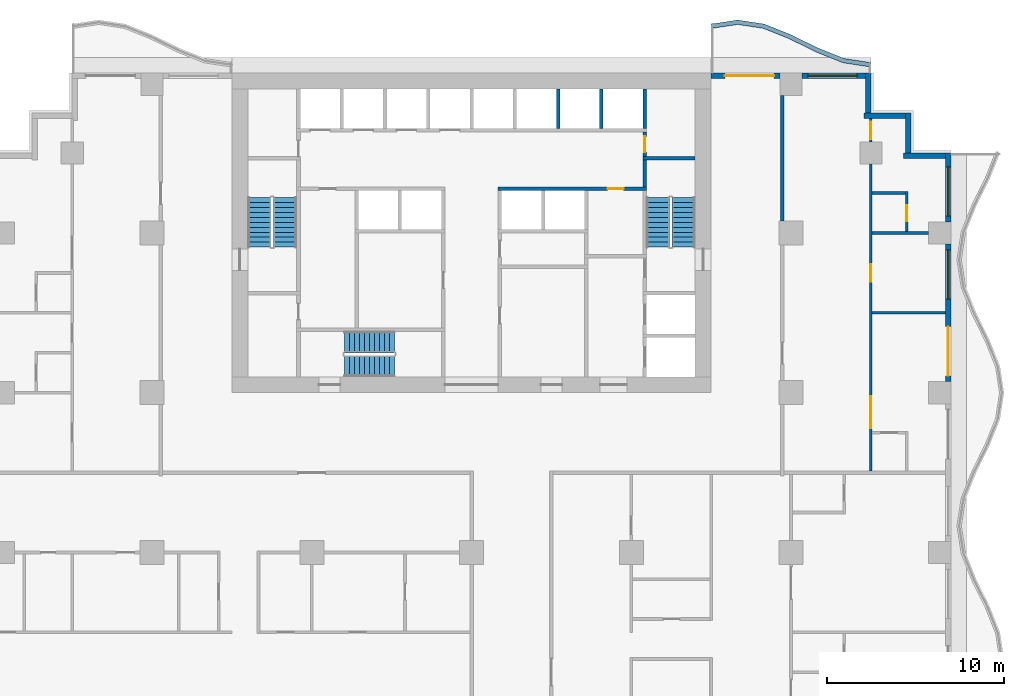
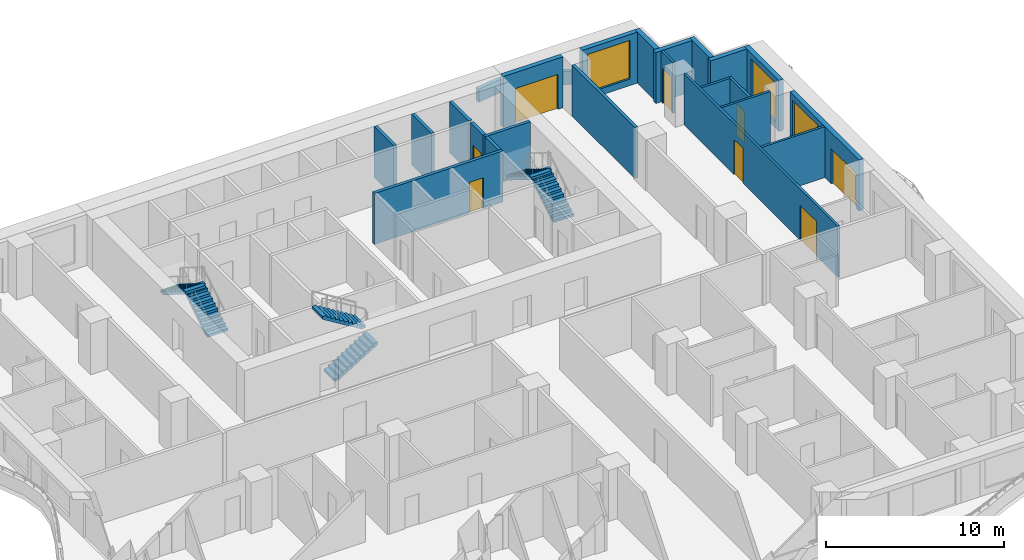
# One storey, part 6 of 13: 23 walls, 8 doors, 6 stair flights, 3 windows, 11 openings, 3 elements without a shape of their own.
"""IFC4 building model written with IfcOpenShell, lengths in metres."""

from ifc_helpers import new_model, si_unit, direction, frame, frame_2d, origin, place, context, subcontext, project, spatial, polyline, rectangle, outline, extrude, material, layer, layer_set, type_object, element, fill, aggregate, save


model = new_model("IFC4")

# Units and contexts
model_context = context("Model", 3, precision=1e-05, world=origin(), true_north=direction((0.0, 1.0)))
body_context = subcontext(model_context, "Body", "Model", "MODEL_VIEW")
ifc_project = project(units=[si_unit("LENGTHUNIT", "METRE"), si_unit("AREAUNIT", "SQUARE_METRE"), si_unit("VOLUMEUNIT", "CUBIC_METRE"), si_unit("PLANEANGLEUNIT", "RADIAN"), si_unit("MASSUNIT", "GRAM", prefix="KILO")], contexts=[model_context])

# Site, building, storey
site_placement = place(None, origin())
site = spatial("IfcSite", under=ifc_project, at=site_placement, CompositionType="ELEMENT")
building_placement = place(site_placement, origin())
building = spatial("IfcBuilding", under=site, at=building_placement, Name="Orbiselva Terraces", CompositionType="ELEMENT")
storey_placement = place(building_placement, frame((0.0, 0.0, 99.8)))
storey = spatial("IfcBuildingStorey", under=building, at=storey_placement, Name="L25", CompositionType="ELEMENT", Elevation=99.8)

# Wall, opening, door
ifc_material_1 = material(Name="Masonry blockwork", Category="masonry")
ifc_layer_1 = layer(ifc_material_1, 0.2)
ifc_layer_set_1 = layer_set([ifc_layer_1], Name="Masonry blockwork")
wall_type_1 = type_object("IfcWallType", Name="CORE-WALL-PARTITION-200", PredefinedType="PARTITIONING", material=ifc_layer_set_1)
wall_1_placement = place(storey_placement, frame((9.75, 19.2, 0.0), z_axis=(0.0, 0.0, 1.0), x_axis=(0.0, -1.0, 0.0)))
wall_1 = element("IfcWall", 1, at=wall_1_placement, inside=storey, type_object=wall_type_1, Name="L25 core wall 46", PredefinedType="PARTITIONING", context=body_context, shape_type="SweptSolid", body=[
    extrude(rectangle(XDim=1.4, YDim=0.2, at=frame_2d((0.7, 0.0))), origin(), (0.0, 0.0, 1.0), 3.5),
])
opening_1_placement = place(wall_1_placement, frame((0.25, 0.0, 0.0)))
opening_1 = element("IfcOpeningElement", 2, at=opening_1_placement, cuts=wall_1, Name="Opening DR900", PredefinedType="OPENING", context=body_context, shape_type="SweptSolid", body=[
    extrude(rectangle(XDim=0.9, YDim=2.1, at=frame_2d((0.45, 1.05))), frame((0.0, 0.11, 0.0), z_axis=(0.0, -1.0, 0.0), x_axis=(1.0, 0.0, 0.0)), (0.0, 0.0, 1.0), 0.22),
])
ifc_material_2 = material(Name="Steel fire door", Category="steel")
door_type_1 = type_object("IfcDoorType", Name="ROOM DOOR 900", OperationType="NOTDEFINED", PredefinedType="DOOR", material=ifc_material_2)
door_1_placement = place(opening_1_placement, origin())
door_1 = element("IfcDoor", 3, at=door_1_placement, inside=storey, type_object=door_type_1, Name="L25 ELECTRICAL RISER ROOM door", OperationType="SINGLE_SWING_RIGHT", OverallHeight=2.1, OverallWidth=0.9, PredefinedType="DOOR", context=body_context, shape_type="SweptSolid", body=[
    extrude(rectangle(XDim=0.9, YDim=2.1, at=frame_2d((0.45, 1.05))), frame((0.0, 0.025, 0.0), z_axis=(0.0, -1.0, 0.0), x_axis=(1.0, 0.0, 0.0)), (0.0, 0.0, 1.0), 0.05),
])
fill(opening_1, door_1)

# Walls
ifc_material_3 = material(Name="Concrete C40/50", Category="concrete")
ifc_layer_2 = layer(ifc_material_3, 0.2)
ifc_layer_set_2 = layer_set([ifc_layer_2], Name="Concrete C40/50")
wall_type_2 = type_object("IfcWallType", Name="CORE-WALL-SHAFT-200", PredefinedType="PARTITIONING", material=ifc_layer_set_2)
for number, where, z_axis, x_axis, name in (
    (4, (4.875, 19.4, 0.0), (0.0, 0.0, 1.0), (0.0, 1.0, 0.0), "L25 core wall 31"),
    (5, (7.3125, 19.4, 0.0), (0.0, 0.0, 1.0), (0.0, 1.0, 0.0), "L25 core wall 37"),
    (6, (9.75, 19.4, 0.0), (0.0, 0.0, 1.0), (0.0, 1.0, 0.0), "L25 core wall 47"),
):
    element("IfcWall", number, at=place(storey_placement, frame(where, z_axis=z_axis, x_axis=x_axis)), inside=storey, type_object=wall_type_2, Name=name, PredefinedType="PARTITIONING", context=body_context, shape_type="SweptSolid", body=[
        extrude(rectangle(XDim=2.2, YDim=0.2, at=frame_2d((1.1, 0.0))), origin(), (0.0, 0.0, 1.0), 3.5),
    ])

# Wall, opening, door
ifc_material_4 = material(Name="Concrete C60/75", Category="concrete")
ifc_layer_3 = layer(ifc_material_4, 0.2)
ifc_layer_set_3 = layer_set([ifc_layer_3], Name="Concrete C60/75")
wall_type_3 = type_object("IfcWallType", Name="CORE-WALL-SHEAR-200", PredefinedType="SHEAR", material=ifc_layer_set_3)
wall_2_placement = place(storey_placement, frame((9.85, 16.0, 0.0), z_axis=(0.0, 0.0, 1.0), x_axis=(-1.0, 0.0, 0.0)))
wall_2 = element("IfcWall", 7, at=wall_2_placement, inside=storey, type_object=wall_type_3, Name="L25 core wall 28", PredefinedType="SHEAR", context=body_context, shape_type="SweptSolid", body=[
    extrude(rectangle(XDim=8.35, YDim=0.2, at=frame_2d((4.175, 0.0))), origin(), (0.0, 0.0, 1.0), 3.5),
])
opening_2_placement = place(wall_2_placement, frame((1.2875, 0.0, 0.0)))
opening_2 = element("IfcOpeningElement", 8, at=opening_2_placement, cuts=wall_2, Name="Opening DR900", PredefinedType="OPENING", context=body_context, shape_type="SweptSolid", body=[
    extrude(rectangle(XDim=0.9, YDim=2.1, at=frame_2d((0.45, 1.05))), frame((0.0, 0.11, 0.0), z_axis=(0.0, -1.0, 0.0), x_axis=(1.0, 0.0, 0.0)), (0.0, 0.0, 1.0), 0.22),
])
door_2_placement = place(opening_2_placement, origin())
door_2 = element("IfcDoor", 9, at=door_2_placement, inside=storey, type_object=door_type_1, Name="L25 PIPE RISER ROOM door", OperationType="SINGLE_SWING_LEFT", OverallHeight=2.1, OverallWidth=0.9, PredefinedType="DOOR", context=body_context, shape_type="SweptSolid", body=[
    extrude(rectangle(XDim=0.9, YDim=2.1, at=frame_2d((0.45, 1.05))), frame((0.0, 0.025, 0.0), z_axis=(0.0, -1.0, 0.0), x_axis=(1.0, 0.0, 0.0)), (0.0, 0.0, 1.0), 0.05),
])
fill(opening_2, door_2)

# Walls
wall_3_placement = place(storey_placement, frame((9.75, 16.1, 0.0), z_axis=(0.0, 0.0, 1.0), x_axis=(0.0, 1.0, 0.0)))
element("IfcWall", 10, at=wall_3_placement, inside=storey, type_object=wall_type_3, Name="L25 core wall 44", PredefinedType="SHEAR", context=body_context, shape_type="SweptSolid", body=[
    extrude(rectangle(XDim=1.5, YDim=0.2, at=frame_2d((0.75, 0.0))), origin(), (0.0, 0.0, 1.0), 3.5),
])
wall_4_placement = place(storey_placement, frame((9.65, 17.7, 0.0), z_axis=(0.0, 0.0, 1.0), x_axis=(1.0, 0.0, 0.0)))
element("IfcWall", 11, at=wall_4_placement, inside=storey, type_object=wall_type_3, Name="L25 core wall 45", PredefinedType="SHEAR", context=body_context, shape_type="SweptSolid", body=[
    extrude(rectangle(XDim=2.95, YDim=0.2, at=frame_2d((1.475, 0.0))), origin(), (0.0, 0.0, 1.0), 3.5),
])
ifc_layer_4 = layer(ifc_material_3, 0.25)
ifc_layer_set_4 = layer_set([ifc_layer_4], Name="Concrete C40/50")
wall_type_4 = type_object("IfcWallType", Name="ENV-PLANTER-250x900", PredefinedType="USERDEFINED", material=ifc_layer_set_4)
wall_5_placement = place(storey_placement, origin())
element("IfcWall", 12, at=wall_5_placement, inside=storey, type_object=wall_type_4, Name="Balcony planter L25 NE", ObjectType="PLANTER", PredefinedType="USERDEFINED", context=body_context, shape_type="SweptSolid", body=[
    extrude(outline(polyline([(22.5, 23.1), (21.0, 23.32918), (19.5, 23.92918), (18.0, 24.67082), (16.5, 25.27082), (15.0, 25.5), (13.5, 25.27082), (13.537758, 25.023688), (15.0, 25.247099), (16.433834, 25.028028), (17.898017, 24.442355), (19.398017, 23.700715), (20.933834, 23.086388), (22.462242, 22.852868), (22.5, 23.1)])), origin(), (0.0, 0.0, 1.0), 0.9),
])

# Wall, openings, door, window
ifc_material_5 = material(Name="Terracotta cladding on masonry backing", Category="masonry")
ifc_layer_5 = layer(ifc_material_5, 0.3)
ifc_layer_set_5 = layer_set([ifc_layer_5], Name="Terracotta cladding on masonry backing")
wall_type_5 = type_object("IfcWallType", Name="ENV-WALL-TERRACOTTA-300", PredefinedType="SOLIDWALL", material=ifc_layer_set_5)
wall_6_placement = place(storey_placement, frame((26.85, 12.875, 0.0), z_axis=(0.0, 0.0, 1.0), x_axis=(0.0, -1.0, 0.0)))
wall_6 = element("IfcWall", 13, at=wall_6_placement, inside=storey, type_object=wall_type_5, Name="Facade wall L25 E", PredefinedType="SOLIDWALL", context=body_context, shape_type="SweptSolid", body=[
    extrude(rectangle(XDim=7.75, YDim=0.3, at=frame_2d((3.875, 0.0))), origin(), (0.0, 0.0, 1.0), 3.5),
])
opening_3_placement = place(wall_6_placement, frame((4.65, 0.0, 0.0)))
opening_3 = element("IfcOpeningElement", 14, at=opening_3_placement, cuts=wall_6, Name="Opening Z2-C-E05", PredefinedType="OPENING", context=body_context, shape_type="SweptSolid", body=[
    extrude(rectangle(XDim=2.775, YDim=2.4, at=frame_2d((1.3875, 1.2))), frame((0.0, 0.16, 0.0), z_axis=(0.0, -1.0, 0.0), x_axis=(1.0, 0.0, 0.0)), (0.0, 0.0, 1.0), 0.32),
])
opening_4_placement = place(wall_6_placement, frame((0.325, 0.0, 0.45)))
opening_4 = element("IfcOpeningElement", 15, at=opening_4_placement, cuts=wall_6, Name="Opening WN6", PredefinedType="OPENING", context=body_context, shape_type="SweptSolid", body=[
    extrude(rectangle(XDim=2.775, YDim=2.65, at=frame_2d((1.3875, 1.325))), frame((0.0, 0.16, 0.0), z_axis=(0.0, -1.0, 0.0), x_axis=(1.0, 0.0, 0.0)), (0.0, 0.0, 1.0), 0.32),
])
ifc_material_6 = material(Name="Clear low-e glazing in aluminium frame", Category="aluminium")
door_type_2 = type_object("IfcDoorType", Name="BALCONY DOOR 2775 X 2400", OperationType="DOUBLE_DOOR_SLIDING", PredefinedType="DOOR", material=ifc_material_6)
door_3_placement = place(opening_3_placement, origin())
door_3 = element("IfcDoor", 16, at=door_3_placement, inside=storey, type_object=door_type_2, Name="Z2-C-E05", OperationType="SINGLE_SWING_LEFT", OverallHeight=2.4, OverallWidth=2.775, PredefinedType="DOOR", context=body_context, shape_type="SweptSolid", body=[
    extrude(rectangle(XDim=2.775, YDim=2.4, at=frame_2d((1.3875, 1.2))), frame((0.0, 0.025, 0.0), z_axis=(0.0, -1.0, 0.0), x_axis=(1.0, 0.0, 0.0)), (0.0, 0.0, 1.0), 0.05),
])
fill(opening_3, door_3)
window_type = type_object("IfcWindowType", Name="WINDOW 2775 X 2650 S450", PartitioningType="TRIPLE_PANEL_VERTICAL", PredefinedType="WINDOW", material=ifc_material_6)
window_1_placement = place(opening_4_placement, origin())
window_1 = element("IfcWindow", 17, at=window_1_placement, inside=storey, type_object=window_type, Name="Window L25 E", OverallHeight=2.65, OverallWidth=2.775, PartitioningType="SINGLE_PANEL", PredefinedType="WINDOW", context=body_context, shape_type="SweptSolid", body=[
    extrude(rectangle(XDim=2.775, YDim=2.65, at=frame_2d((1.3875, 1.325))), frame((0.0, 0.03, 0.0), z_axis=(0.0, -1.0, 0.0), x_axis=(1.0, 0.0, 0.0)), (0.0, 0.0, 1.0), 0.06),
])
fill(opening_4, window_1)

# Wall, opening, window
wall_7_placement = place(storey_placement, frame((26.85, 18.0, 0.0), z_axis=(0.0, 0.0, 1.0), x_axis=(0.0, -1.0, 0.0)))
wall_7 = element("IfcWall", 18, at=wall_7_placement, inside=storey, type_object=wall_type_5, Name="Facade wall L25 E", PredefinedType="SOLIDWALL", context=body_context, shape_type="SweptSolid", body=[
    extrude(rectangle(XDim=3.875, YDim=0.3, at=frame_2d((1.9375, 0.0))), origin(), (0.0, 0.0, 1.0), 3.5),
])
opening_5_placement = place(wall_7_placement, frame((0.775, 0.0, 0.45)))
opening_5 = element("IfcOpeningElement", 19, at=opening_5_placement, cuts=wall_7, Name="Opening WN6", PredefinedType="OPENING", context=body_context, shape_type="SweptSolid", body=[
    extrude(rectangle(XDim=2.775, YDim=2.65, at=frame_2d((1.3875, 1.325))), frame((0.0, 0.16, 0.0), z_axis=(0.0, -1.0, 0.0), x_axis=(1.0, 0.0, 0.0)), (0.0, 0.0, 1.0), 0.32),
])
window_2_placement = place(opening_5_placement, origin())
window_2 = element("IfcWindow", 20, at=window_2_placement, inside=storey, type_object=window_type, Name="Window L25 E", OverallHeight=2.65, OverallWidth=2.775, PartitioningType="SINGLE_PANEL", PredefinedType="WINDOW", context=body_context, shape_type="SweptSolid", body=[
    extrude(rectangle(XDim=2.775, YDim=2.65, at=frame_2d((1.3875, 1.325))), frame((0.0, 0.03, 0.0), z_axis=(0.0, -1.0, 0.0), x_axis=(1.0, 0.0, 0.0)), (0.0, 0.0, 1.0), 0.06),
])
fill(opening_5, window_2)

# Walls
wall_8_placement = place(storey_placement, frame((24.35, 17.85, 0.0), z_axis=(0.0, 0.0, 1.0), x_axis=(1.0, 0.0, 0.0)))
element("IfcWall", 21, at=wall_8_placement, inside=storey, type_object=wall_type_5, Name="Facade wall L25 STEP", PredefinedType="SOLIDWALL", context=body_context, shape_type="SweptSolid", body=[
    extrude(rectangle(XDim=2.35, YDim=0.3, at=frame_2d((1.175, 0.0))), origin(), (0.0, 0.0, 1.0), 3.5),
])
wall_9_placement = place(storey_placement, frame((24.6, 20.25, 0.0), z_axis=(0.0, 0.0, 1.0), x_axis=(0.0, -1.0, 0.0)))
element("IfcWall", 22, at=wall_9_placement, inside=storey, type_object=wall_type_5, Name="Facade wall L25 STEP", PredefinedType="SOLIDWALL", context=body_context, shape_type="SweptSolid", body=[
    extrude(rectangle(XDim=2.25, YDim=0.3, at=frame_2d((1.125, 0.0))), origin(), (0.0, 0.0, 1.0), 3.5),
])
wall_10_placement = place(storey_placement, frame((22.1, 20.1, 0.0), z_axis=(0.0, 0.0, 1.0), x_axis=(1.0, 0.0, 0.0)))
element("IfcWall", 23, at=wall_10_placement, inside=storey, type_object=wall_type_5, Name="Facade wall L25 STEP", PredefinedType="SOLIDWALL", context=body_context, shape_type="SweptSolid", body=[
    extrude(rectangle(XDim=2.35, YDim=0.3, at=frame_2d((1.175, 0.0))), origin(), (0.0, 0.0, 1.0), 3.5),
])
wall_11_placement = place(storey_placement, frame((22.35, 22.5, 0.0), z_axis=(0.0, 0.0, 1.0), x_axis=(0.0, -1.0, 0.0)))
element("IfcWall", 24, at=wall_11_placement, inside=storey, type_object=wall_type_5, Name="Facade wall L25 STEP", PredefinedType="SOLIDWALL", context=body_context, shape_type="SweptSolid", body=[
    extrude(rectangle(XDim=2.25, YDim=0.3, at=frame_2d((1.125, 0.0))), origin(), (0.0, 0.0, 1.0), 3.5),
])

# Wall, opening, window
wall_12_placement = place(storey_placement, frame((18.625, 22.35, 0.0), z_axis=(0.0, 0.0, 1.0), x_axis=(1.0, 0.0, 0.0)))
wall_12 = element("IfcWall", 25, at=wall_12_placement, inside=storey, type_object=wall_type_5, Name="Facade wall L25 NE", PredefinedType="SOLIDWALL", context=body_context, shape_type="SweptSolid", body=[
    extrude(rectangle(XDim=3.575, YDim=0.3, at=frame_2d((1.7875, 0.0))), origin(), (0.0, 0.0, 1.0), 3.5),
])
opening_6_placement = place(wall_12_placement, frame((0.325, 0.0, 0.45)))
opening_6 = element("IfcOpeningElement", 26, at=opening_6_placement, cuts=wall_12, Name="Opening WN6", PredefinedType="OPENING", context=body_context, shape_type="SweptSolid", body=[
    extrude(rectangle(XDim=2.775, YDim=2.65, at=frame_2d((1.3875, 1.325))), frame((0.0, 0.16, 0.0), z_axis=(0.0, -1.0, 0.0), x_axis=(1.0, 0.0, 0.0)), (0.0, 0.0, 1.0), 0.32),
])
window_3_placement = place(opening_6_placement, origin())
window_3 = element("IfcWindow", 27, at=window_3_placement, inside=storey, type_object=window_type, Name="Window L25 NE", OverallHeight=2.65, OverallWidth=2.775, PartitioningType="SINGLE_PANEL", PredefinedType="WINDOW", context=body_context, shape_type="SweptSolid", body=[
    extrude(rectangle(XDim=2.775, YDim=2.65, at=frame_2d((1.3875, 1.325))), frame((0.0, 0.03, 0.0), z_axis=(0.0, -1.0, 0.0), x_axis=(1.0, 0.0, 0.0)), (0.0, 0.0, 1.0), 0.06),
])
fill(opening_6, window_3)

# Wall, opening, door
wall_13_placement = place(storey_placement, frame((13.5, 22.35, 0.0), z_axis=(0.0, 0.0, 1.0), x_axis=(1.0, 0.0, 0.0)))
wall_13 = element("IfcWall", 28, at=wall_13_placement, inside=storey, type_object=wall_type_5, Name="Facade wall L25 NE", PredefinedType="SOLIDWALL", context=body_context, shape_type="SweptSolid", body=[
    extrude(rectangle(XDim=3.875, YDim=0.3, at=frame_2d((1.9375, 0.0))), origin(), (0.0, 0.0, 1.0), 3.5),
])
opening_7_placement = place(wall_13_placement, frame((0.775, 0.0, 0.0)))
opening_7 = element("IfcOpeningElement", 29, at=opening_7_placement, cuts=wall_13, Name="Opening Z2-C-E13", PredefinedType="OPENING", context=body_context, shape_type="SweptSolid", body=[
    extrude(rectangle(XDim=2.775, YDim=2.4, at=frame_2d((1.3875, 1.2))), frame((0.0, 0.16, 0.0), z_axis=(0.0, -1.0, 0.0), x_axis=(1.0, 0.0, 0.0)), (0.0, 0.0, 1.0), 0.32),
])
door_4_placement = place(opening_7_placement, origin())
door_4 = element("IfcDoor", 30, at=door_4_placement, inside=storey, type_object=door_type_2, Name="Z2-C-E13", OperationType="SINGLE_SWING_LEFT", OverallHeight=2.4, OverallWidth=2.775, PredefinedType="DOOR", context=body_context, shape_type="SweptSolid", body=[
    extrude(rectangle(XDim=2.775, YDim=2.4, at=frame_2d((1.3875, 1.2))), frame((0.0, 0.025, 0.0), z_axis=(0.0, -1.0, 0.0), x_axis=(1.0, 0.0, 0.0)), (0.0, 0.0, 1.0), 0.05),
])
fill(opening_7, door_4)

# Walls
ifc_material_7 = material(Name="Plasterboard on steel stud partition", Category="steel")
ifc_layer_6 = layer(ifc_material_7, 0.2)
ifc_layer_set_6 = layer_set([ifc_layer_6], Name="Plasterboard on steel stud partition")
wall_type_6 = type_object("IfcWallType", Name="UNIT-ENTRANCE-WALL-200", PredefinedType="PARTITIONING", material=ifc_layer_set_6)
wall_14_placement = place(storey_placement, frame((17.5, 14.175, 0.0), z_axis=(0.0, 0.0, 1.0), x_axis=(0.0, 1.0, 0.0)))
element("IfcWall", 31, at=wall_14_placement, inside=storey, type_object=wall_type_6, Name="PARTITION L25-069", PredefinedType="PARTITIONING", context=body_context, shape_type="SweptSolid", body=[
    extrude(rectangle(XDim=7.075, YDim=0.2, at=frame_2d((3.5375, 0.0))), origin(), (0.0, 0.0, 1.0), 3.5),
])
ifc_layer_7 = layer(ifc_material_7, 0.15)
ifc_layer_set_7 = layer_set([ifc_layer_7], Name="Plasterboard on steel stud partition")
wall_type_7 = type_object("IfcWallType", Name="UNIT-PARTITION-150", PredefinedType="PARTITIONING", material=ifc_layer_set_7)
wall_15_placement = place(storey_placement, frame((22.575, 9.0, 0.0), z_axis=(0.0, 0.0, 1.0), x_axis=(1.0, 0.0, 0.0)))
element("IfcWall", 32, at=wall_15_placement, inside=storey, type_object=wall_type_7, Name="PARTITION L25-033", PredefinedType="PARTITIONING", context=body_context, shape_type="SweptSolid", body=[
    extrude(rectangle(XDim=4.125, YDim=0.15, at=frame_2d((2.0625, 0.0))), origin(), (0.0, 0.0, 1.0), 3.5),
])
wall_16_placement = place(storey_placement, frame((22.575, 13.5, 0.0), z_axis=(0.0, 0.0, 1.0), x_axis=(1.0, 0.0, 0.0)))
element("IfcWall", 33, at=wall_16_placement, inside=storey, type_object=wall_type_7, Name="PARTITION L25-035", PredefinedType="PARTITIONING", context=body_context, shape_type="SweptSolid", body=[
    extrude(rectangle(XDim=3.175, YDim=0.15, at=frame_2d((1.5875, 0.0))), origin(), (0.0, 0.0, 1.0), 3.5),
])
wall_17_placement = place(storey_placement, frame((22.575, 15.75, 0.0), z_axis=(0.0, 0.0, 1.0), x_axis=(1.0, 0.0, 0.0)))
element("IfcWall", 34, at=wall_17_placement, inside=storey, type_object=wall_type_7, Name="PARTITION L25-036", PredefinedType="PARTITIONING", context=body_context, shape_type="SweptSolid", body=[
    extrude(rectangle(XDim=1.875, YDim=0.15, at=frame_2d((0.9375, 0.0))), origin(), (0.0, 0.0, 1.0), 3.5),
])

# Wall, openings, doors
wall_18_placement = place(storey_placement, frame((22.5, 17.375, 0.0), z_axis=(0.0, 0.0, 1.0), x_axis=(0.0, -1.0, 0.0)))
wall_18 = element("IfcWall", 35, at=wall_18_placement, inside=storey, type_object=wall_type_7, Name="PARTITION L25-076", PredefinedType="PARTITIONING", context=body_context, shape_type="SweptSolid", body=[
    extrude(rectangle(XDim=17.275, YDim=0.15, at=frame_2d((8.6375, 0.0))), origin(), (0.0, 0.0, 1.0), 3.5),
])
opening_8_placement = place(wall_18_placement, frame((13.075, 0.0, 0.0)))
opening_8 = element("IfcOpeningElement", 36, at=opening_8_placement, cuts=wall_18, Name="Opening Z2-C-08", PredefinedType="OPENING", context=body_context, shape_type="SweptSolid", body=[
    extrude(rectangle(XDim=1.8, YDim=2.4, at=frame_2d((0.9, 1.2))), frame((0.0, 0.085, 0.0), z_axis=(0.0, -1.0, 0.0), x_axis=(1.0, 0.0, 0.0)), (0.0, 0.0, 1.0), 0.17),
])
opening_9_placement = place(wall_18_placement, frame((5.625, 0.0, 0.0)))
opening_9 = element("IfcOpeningElement", 37, at=opening_9_placement, cuts=wall_18, Name="Opening Z2-C-10", PredefinedType="OPENING", context=body_context, shape_type="SweptSolid", body=[
    extrude(rectangle(XDim=1.0, YDim=2.4, at=frame_2d((0.5, 1.2))), frame((0.0, 0.085, 0.0), z_axis=(0.0, -1.0, 0.0), x_axis=(1.0, 0.0, 0.0)), (0.0, 0.0, 1.0), 0.17),
])
ifc_material_8 = material(Name="Painted timber door leaf", Category="wood")
door_type_3 = type_object("IfcDoorType", Name="DOUBLE DOOR 1800", OperationType="NOTDEFINED", PredefinedType="DOOR", material=ifc_material_8)
door_5_placement = place(opening_8_placement, origin())
door_5 = element("IfcDoor", 38, at=door_5_placement, inside=storey, type_object=door_type_3, Name="Z2-C-08", OperationType="DOUBLE_DOOR_SINGLE_SWING", OverallHeight=2.4, OverallWidth=1.8, PredefinedType="DOOR", context=body_context, shape_type="SweptSolid", body=[
    extrude(rectangle(XDim=1.8, YDim=2.4, at=frame_2d((0.9, 1.2))), frame((0.0, 0.025, 0.0), z_axis=(0.0, -1.0, 0.0), x_axis=(1.0, 0.0, 0.0)), (0.0, 0.0, 1.0), 0.05),
])
fill(opening_8, door_5)
door_type_4 = type_object("IfcDoorType", Name="ROOM DOOR 1000", OperationType="NOTDEFINED", PredefinedType="DOOR", material=ifc_material_8)
door_6_placement = place(opening_9_placement, origin())
door_6 = element("IfcDoor", 39, at=door_6_placement, inside=storey, type_object=door_type_4, Name="Z2-C-10", OperationType="SINGLE_SWING_LEFT", OverallHeight=2.4, OverallWidth=1.0, PredefinedType="DOOR", context=body_context, shape_type="SweptSolid", body=[
    extrude(rectangle(XDim=1.0, YDim=2.4, at=frame_2d((0.5, 1.2))), frame((0.0, 0.025, 0.0), z_axis=(0.0, -1.0, 0.0), x_axis=(1.0, 0.0, 0.0)), (0.0, 0.0, 1.0), 0.05),
])
fill(opening_9, door_6)

# Wall, opening, door
wall_19_placement = place(storey_placement, frame((22.5, 19.95, 0.0), z_axis=(0.0, 0.0, 1.0), x_axis=(0.0, -1.0, 0.0)))
wall_19 = element("IfcWall", 40, at=wall_19_placement, inside=storey, type_object=wall_type_7, Name="PARTITION L25-077", PredefinedType="PARTITIONING", context=body_context, shape_type="SweptSolid", body=[
    extrude(rectangle(XDim=1.325, YDim=0.15, at=frame_2d((0.6625, 0.0))), origin(), (0.0, 0.0, 1.0), 3.5),
])
opening_10_placement = place(wall_19_placement, frame((0.175, 0.0, 0.0)))
opening_10 = element("IfcOpeningElement", 41, at=opening_10_placement, cuts=wall_19, Name="Opening Z2-C-11", PredefinedType="OPENING", context=body_context, shape_type="SweptSolid", body=[
    extrude(rectangle(XDim=1.0, YDim=2.4, at=frame_2d((0.5, 1.2))), frame((0.0, 0.085, 0.0), z_axis=(0.0, -1.0, 0.0), x_axis=(1.0, 0.0, 0.0)), (0.0, 0.0, 1.0), 0.17),
])
door_7_placement = place(opening_10_placement, origin())
door_7 = element("IfcDoor", 42, at=door_7_placement, inside=storey, type_object=door_type_4, Name="Z2-C-11", OperationType="SINGLE_SWING_RIGHT", OverallHeight=2.4, OverallWidth=1.0, PredefinedType="DOOR", context=body_context, shape_type="SweptSolid", body=[
    extrude(rectangle(XDim=1.0, YDim=2.4, at=frame_2d((0.5, 1.2))), frame((0.0, 0.025, 0.0), z_axis=(0.0, -1.0, 0.0), x_axis=(1.0, 0.0, 0.0)), (0.0, 0.0, 1.0), 0.05),
])
fill(opening_10, door_7)

wall_20_placement = place(storey_placement, frame((24.525, 13.575, 0.0), z_axis=(0.0, 0.0, 1.0), x_axis=(0.0, 1.0, 0.0)))
wall_20 = element("IfcWall", 43, at=wall_20_placement, inside=storey, type_object=wall_type_7, Name="PARTITION L25-079", PredefinedType="PARTITIONING", context=body_context, shape_type="SweptSolid", body=[
    extrude(rectangle(XDim=2.25, YDim=0.15, at=frame_2d((1.125, 0.0))), origin(), (0.0, 0.0, 1.0), 3.5),
])
opening_11_placement = place(wall_20_placement, frame((0.6, 0.0, 0.0)))
opening_11 = element("IfcOpeningElement", 44, at=opening_11_placement, cuts=wall_20, Name="Opening Z2-C-12", PredefinedType="OPENING", context=body_context, shape_type="SweptSolid", body=[
    extrude(rectangle(XDim=0.9, YDim=2.1, at=frame_2d((0.45, 1.05))), frame((0.0, 0.085, 0.0), z_axis=(0.0, -1.0, 0.0), x_axis=(1.0, 0.0, 0.0)), (0.0, 0.0, 1.0), 0.17),
])
door_type_5 = type_object("IfcDoorType", Name="BATH DOOR 900", OperationType="NOTDEFINED", PredefinedType="DOOR", material=ifc_material_8)
door_8_placement = place(opening_11_placement, origin())
door_8 = element("IfcDoor", 45, at=door_8_placement, inside=storey, type_object=door_type_5, Name="Z2-C-12", OperationType="SINGLE_SWING_LEFT", OverallHeight=2.1, OverallWidth=0.9, PredefinedType="DOOR", context=body_context, shape_type="SweptSolid", body=[
    extrude(rectangle(XDim=0.9, YDim=2.1, at=frame_2d((0.45, 1.05))), frame((0.0, 0.025, 0.0), z_axis=(0.0, -1.0, 0.0), x_axis=(1.0, 0.0, 0.0)), (0.0, 0.0, 1.0), 0.05),
])
fill(opening_11, door_8)

# Stair, stair flights
stair_type_1 = type_object("IfcStairType", Name="CORE-STAIR-1200", PredefinedType="HALF_TURN_STAIR", material=ifc_material_3)
stair_1_placement = place(storey_placement, origin())
stair_1 = element("IfcStair", 46, at=stair_1_placement, inside=storey, type_object=stair_type_1, Name="L25 Exit Stair S3", PredefinedType="HALF_TURN_STAIR")
stair_flight_type_1 = type_object("IfcStairFlightType", Name="CORE-STAIR-FLIGHT-1200", PredefinedType="STRAIGHT", material=ifc_material_3)
stair_flight_1_placement = place(storey_placement, frame((-7.15, 6.0, 0.0), z_axis=(0.0, 0.0, 1.0), x_axis=(1.0, 0.0, 0.0)))
stair_flight_1 = element("IfcStairFlight", 47, at=stair_flight_1_placement, type_object=stair_flight_type_1, Name="S3 flight 1", NumberOfRisers=11, NumberOfTreads=10, PredefinedType="STRAIGHT", RiserHeight=0.172727273, TreadLength=0.28, context=body_context, shape_type="SweptSolid", body=[
    extrude(outline(polyline([(0.0, 0.0), (0.0, 0.172727), (0.28, 0.172727), (0.28, 0.345455), (0.56, 0.345455), (0.56, 0.518182), (0.84, 0.518182), (0.84, 0.690909), (1.12, 0.690909), (1.12, 0.863636), (1.4, 0.863636), (1.4, 1.036364), (1.68, 1.036364), (1.68, 1.209091), (1.96, 1.209091), (1.96, 1.381818), (2.24, 1.381818), (2.24, 1.554545), (2.52, 1.554545), (2.52, 1.727273), (2.8, 1.727273), (2.8, 1.9), (2.8, 1.551028), (0.285702, 0.0), (0.0, 0.0)])), frame((0.0, 0.6, 0.0), z_axis=(0.0, -1.0, 0.0), x_axis=(1.0, 0.0, 0.0)), (0.0, 0.0, 1.0), 1.2),
])
stair_flight_2_placement = place(storey_placement, frame((-4.35, 7.35, 1.9), z_axis=(0.0, 0.0, 1.0), x_axis=(-1.0, 0.0, 0.0)))
stair_flight_2 = element("IfcStairFlight", 48, at=stair_flight_2_placement, type_object=stair_flight_type_1, Name="S3 flight 2", NumberOfRisers=11, NumberOfTreads=10, PredefinedType="STRAIGHT", RiserHeight=0.172727273, TreadLength=0.28, context=body_context, shape_type="SweptSolid", body=[
    extrude(outline(polyline([(0.0, 0.0), (0.0, 0.172727), (0.28, 0.172727), (0.28, 0.345455), (0.56, 0.345455), (0.56, 0.518182), (0.84, 0.518182), (0.84, 0.690909), (1.12, 0.690909), (1.12, 0.863636), (1.4, 0.863636), (1.4, 1.036364), (1.68, 1.036364), (1.68, 1.209091), (1.96, 1.209091), (1.96, 1.381818), (2.24, 1.381818), (2.24, 1.554545), (2.52, 1.554545), (2.52, 1.727273), (2.8, 1.727273), (2.8, 1.9), (2.8, 1.551028), (0.285702, 0.0), (0.0, 0.0)])), frame((0.0, 0.6, 0.0), z_axis=(0.0, -1.0, 0.0), x_axis=(1.0, 0.0, 0.0)), (0.0, 0.0, 1.0), 1.2),
])
aggregate(stair_1, [stair_flight_1, stair_flight_2])

stair_type_2 = type_object("IfcStairType", Name="CORE-STAIR-1300", PredefinedType="HALF_TURN_STAIR", material=ifc_material_3)
stair_2_placement = place(storey_placement, origin())
stair_2 = element("IfcStair", 49, at=stair_2_placement, inside=storey, type_object=stair_type_2, Name="L25 Exit Stair S1", PredefinedType="HALF_TURN_STAIR")
stair_flight_type_2 = type_object("IfcStairFlightType", Name="CORE-STAIR-FLIGHT-1300", PredefinedType="STRAIGHT", material=ifc_material_3)
stair_flight_3_placement = place(storey_placement, frame((-10.5, 12.7, 0.0), z_axis=(0.0, 0.0, 1.0), x_axis=(0.0, 1.0, 0.0)))
stair_flight_3 = element("IfcStairFlight", 50, at=stair_flight_3_placement, type_object=stair_flight_type_2, Name="S1 flight 1", NumberOfRisers=11, NumberOfTreads=10, PredefinedType="STRAIGHT", RiserHeight=0.172727273, TreadLength=0.28, context=body_context, shape_type="SweptSolid", body=[
    extrude(outline(polyline([(0.0, 0.0), (0.0, 0.172727), (0.28, 0.172727), (0.28, 0.345455), (0.56, 0.345455), (0.56, 0.518182), (0.84, 0.518182), (0.84, 0.690909), (1.12, 0.690909), (1.12, 0.863636), (1.4, 0.863636), (1.4, 1.036364), (1.68, 1.036364), (1.68, 1.209091), (1.96, 1.209091), (1.96, 1.381818), (2.24, 1.381818), (2.24, 1.554545), (2.52, 1.554545), (2.52, 1.727273), (2.8, 1.727273), (2.8, 1.9), (2.8, 1.551028), (0.285702, 0.0), (0.0, 0.0)])), frame((0.0, 0.65, 0.0), z_axis=(0.0, -1.0, 0.0), x_axis=(1.0, 0.0, 0.0)), (0.0, 0.0, 1.0), 1.3),
])
stair_flight_4_placement = place(storey_placement, frame((-11.95, 15.5, 1.9), z_axis=(0.0, 0.0, 1.0), x_axis=(0.0, -1.0, 0.0)))
stair_flight_4 = element("IfcStairFlight", 51, at=stair_flight_4_placement, type_object=stair_flight_type_2, Name="S1 flight 2", NumberOfRisers=11, NumberOfTreads=10, PredefinedType="STRAIGHT", RiserHeight=0.172727273, TreadLength=0.28, context=body_context, shape_type="SweptSolid", body=[
    extrude(outline(polyline([(0.0, 0.0), (0.0, 0.172727), (0.28, 0.172727), (0.28, 0.345455), (0.56, 0.345455), (0.56, 0.518182), (0.84, 0.518182), (0.84, 0.690909), (1.12, 0.690909), (1.12, 0.863636), (1.4, 0.863636), (1.4, 1.036364), (1.68, 1.036364), (1.68, 1.209091), (1.96, 1.209091), (1.96, 1.381818), (2.24, 1.381818), (2.24, 1.554545), (2.52, 1.554545), (2.52, 1.727273), (2.8, 1.727273), (2.8, 1.9), (2.8, 1.551028), (0.285702, 0.0), (0.0, 0.0)])), frame((0.0, 0.65, 0.0), z_axis=(0.0, -1.0, 0.0), x_axis=(1.0, 0.0, 0.0)), (0.0, 0.0, 1.0), 1.3),
])
aggregate(stair_2, [stair_flight_3, stair_flight_4])

stair_3_placement = place(storey_placement, origin())
stair_3 = element("IfcStair", 52, at=stair_3_placement, inside=storey, type_object=stair_type_2, Name="L25 Exit Stair S2", PredefinedType="HALF_TURN_STAIR")
stair_flight_5_placement = place(storey_placement, frame((11.95, 12.7, 0.0), z_axis=(0.0, 0.0, 1.0), x_axis=(0.0, 1.0, 0.0)))
stair_flight_5 = element("IfcStairFlight", 53, at=stair_flight_5_placement, type_object=stair_flight_type_2, Name="S2 flight 1", NumberOfRisers=11, NumberOfTreads=10, PredefinedType="STRAIGHT", RiserHeight=0.172727273, TreadLength=0.28, context=body_context, shape_type="SweptSolid", body=[
    extrude(outline(polyline([(0.0, 0.0), (0.0, 0.172727), (0.28, 0.172727), (0.28, 0.345455), (0.56, 0.345455), (0.56, 0.518182), (0.84, 0.518182), (0.84, 0.690909), (1.12, 0.690909), (1.12, 0.863636), (1.4, 0.863636), (1.4, 1.036364), (1.68, 1.036364), (1.68, 1.209091), (1.96, 1.209091), (1.96, 1.381818), (2.24, 1.381818), (2.24, 1.554545), (2.52, 1.554545), (2.52, 1.727273), (2.8, 1.727273), (2.8, 1.9), (2.8, 1.551028), (0.285702, 0.0), (0.0, 0.0)])), frame((0.0, 0.65, 0.0), z_axis=(0.0, -1.0, 0.0), x_axis=(1.0, 0.0, 0.0)), (0.0, 0.0, 1.0), 1.3),
])
stair_flight_6_placement = place(storey_placement, frame((10.5, 15.5, 1.9), z_axis=(0.0, 0.0, 1.0), x_axis=(0.0, -1.0, 0.0)))
stair_flight_6 = element("IfcStairFlight", 54, at=stair_flight_6_placement, type_object=stair_flight_type_2, Name="S2 flight 2", NumberOfRisers=11, NumberOfTreads=10, PredefinedType="STRAIGHT", RiserHeight=0.172727273, TreadLength=0.28, context=body_context, shape_type="SweptSolid", body=[
    extrude(outline(polyline([(0.0, 0.0), (0.0, 0.172727), (0.28, 0.172727), (0.28, 0.345455), (0.56, 0.345455), (0.56, 0.518182), (0.84, 0.518182), (0.84, 0.690909), (1.12, 0.690909), (1.12, 0.863636), (1.4, 0.863636), (1.4, 1.036364), (1.68, 1.036364), (1.68, 1.209091), (1.96, 1.209091), (1.96, 1.381818), (2.24, 1.381818), (2.24, 1.554545), (2.52, 1.554545), (2.52, 1.727273), (2.8, 1.727273), (2.8, 1.9), (2.8, 1.551028), (0.285702, 0.0), (0.0, 0.0)])), frame((0.0, 0.65, 0.0), z_axis=(0.0, -1.0, 0.0), x_axis=(1.0, 0.0, 0.0)), (0.0, 0.0, 1.0), 1.3),
])
aggregate(stair_3, [stair_flight_5, stair_flight_6])

save(model, "model.ifc")
